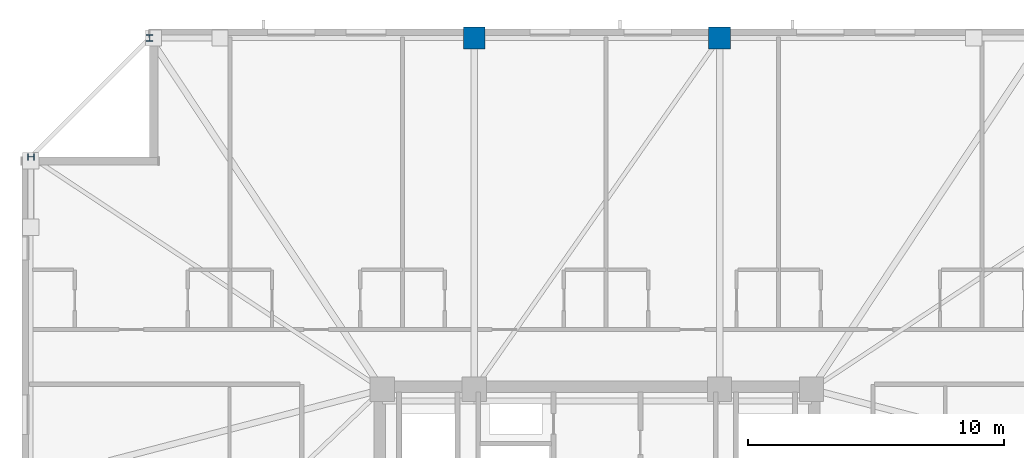
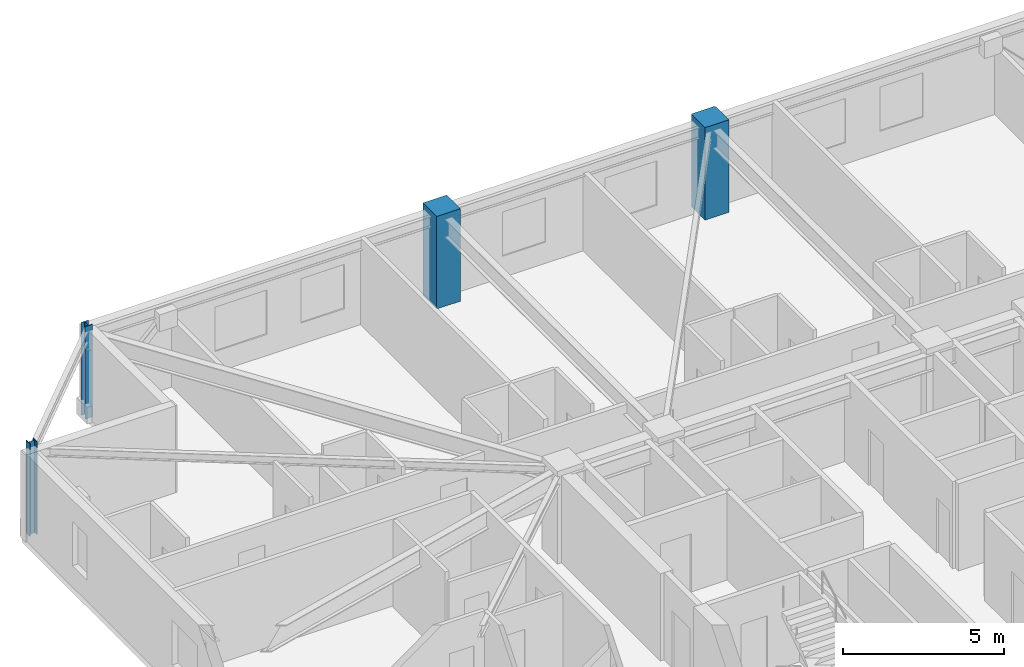
# One storey, part 4 of 17: 4 columns.
"""IFC4 building model written with IfcOpenShell, lengths in metres."""

from ifc_helpers import new_model, si_unit, direction, frame, origin, origin_2d, place, context, subcontext, project, spatial, rectangle, i_section, extrude, material, material_profile, profile_set, type_object, element, save


model = new_model("IFC4")

# Units and contexts
model_context = context("Model", 3, precision=1e-05, world=origin(), true_north=direction((0.0, 1.0)))
body_context = subcontext(model_context, "Body", "Model", "MODEL_VIEW")
ifc_project = project(units=[si_unit("LENGTHUNIT", "METRE"), si_unit("AREAUNIT", "SQUARE_METRE"), si_unit("VOLUMEUNIT", "CUBIC_METRE"), si_unit("PLANEANGLEUNIT", "RADIAN"), si_unit("MASSUNIT", "GRAM", prefix="KILO")], contexts=[model_context])

# Site, building, storey
site_placement = place(None, origin())
site = spatial("IfcSite", under=ifc_project, at=site_placement, CompositionType="ELEMENT")
building_placement = place(site_placement, origin())
building = spatial("IfcBuilding", under=site, at=building_placement, Name="Cairnveth Concourse Tower", CompositionType="ELEMENT")
storey_placement = place(building_placement, frame((0.0, 0.0, 251.5)))
storey = spatial("IfcBuildingStorey", under=building, at=storey_placement, Name="L69", CompositionType="ELEMENT", Elevation=251.5)

# Columns
ifc_material_1 = material(Name="Concrete N65 (65 MPa)", Category="concrete")
ifc_material_profile_1 = material_profile(ifc_material_1, rectangle(XDim=0.85009765625, YDim=0.85009765625, at=origin_2d()), Name="RC-COL-850x850")
ifc_profile_set_1 = profile_set([ifc_material_profile_1], Name="Concrete N65 (65 MPa)")
column_type_1 = type_object("IfcColumnType", Name="PERIMETER PIER COLUMN 850X850", PredefinedType="COLUMN", material=ifc_profile_set_1)
for number, where, z_axis, x_axis, name in (
    (1, (56.800048828125, 61.14990234375, 0.0), (0.0, 0.0, 1.0), (1.0, 0.0, 0.0), "Column P-N2 L69"),
    (2, (47.199951171875, 61.14990234375, 0.0), (0.0, 0.0, 1.0), (1.0, 0.0, 0.0), "Column P-N3 L69"),
):
    element("IfcColumn", number, at=place(storey_placement, frame(where, z_axis=z_axis, x_axis=x_axis)), inside=storey, type_object=column_type_1, Name=name, PredefinedType="COLUMN", context=body_context, shape_type="SweptSolid", body=[
        extrude(rectangle(XDim=0.85009765625, YDim=0.85009765625, at=origin_2d()), origin(), (0.0, 0.0, 1.0), 3.5),
    ])
ifc_material_2 = material(Name="Steel Grade 350", Category="steel")
ifc_material_profile_2 = material_profile(ifc_material_2, i_section(OverallWidth=0.256103515625, OverallDepth=0.260009765625, WebThickness=0.010498046875, FlangeThickness=0.017333984375, FilletRadius=0.012939453125, at=origin_2d()), Name="250UC89.5")
ifc_profile_set_2 = profile_set([ifc_material_profile_2], Name="Steel Grade 350")
column_type_2 = type_object("IfcColumnType", Name="UNIVERSAL STEEL COLUMN 250UC89.5", PredefinedType="COLUMN", material=ifc_profile_set_2)
for number, where, z_axis, x_axis, name in (
    (3, (34.5, 61.14990234375, 0.0), (0.0, 0.0, 1.0), (1.0, 0.0, 0.0), "Column P-N4 L69"),
    (4, (29.85009765625, 56.5, 0.0), (0.0, 0.0, 1.0), (0.0, 1.0, 0.0), "Column P-W1 L69"),
):
    element("IfcColumn", number, at=place(storey_placement, frame(where, z_axis=z_axis, x_axis=x_axis)), inside=storey, type_object=column_type_2, Name=name, PredefinedType="COLUMN", context=body_context, shape_type="SweptSolid", body=[
        extrude(i_section(OverallWidth=0.256103515625, OverallDepth=0.260009765625, WebThickness=0.010498046875, FlangeThickness=0.017333984375, FilletRadius=0.012939453125, at=origin_2d()), origin(), (0.0, 0.0, 1.0), 3.5),
    ])

save(model, "model.ifc")
